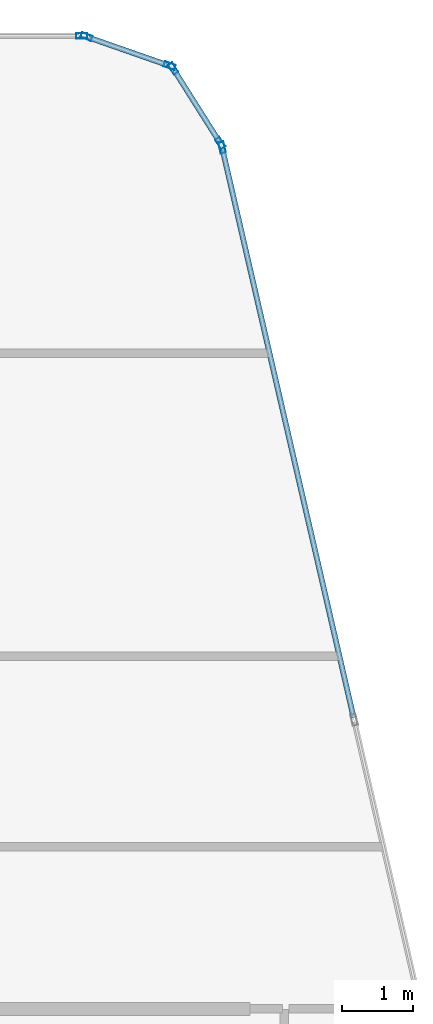
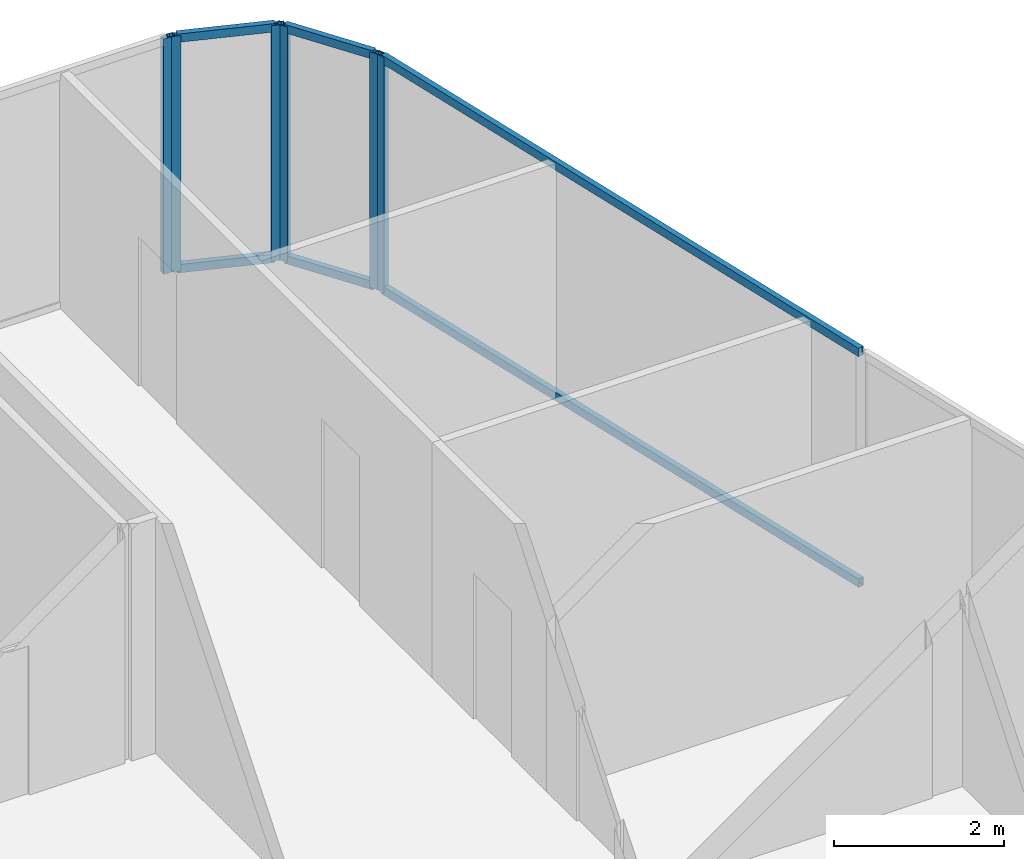
# One storey, part 21 of 29: 12 members, 4 elements without a shape of their own.
"""IFC4 building model written with IfcOpenShell, lengths in metres."""

from ifc_helpers import new_model, si_unit, direction, frame, origin, origin_2d, place, context, subcontext, project, spatial, hollow_rectangle, extrude, material, layer, layer_set, material_profile, profile_set, type_object, element, aggregate, save


model = new_model("IFC4")

# Units and contexts
model_context = context("Model", 3, precision=1e-05, world=origin(), true_north=direction((0.0, 1.0)))
body_context = subcontext(model_context, "Body", "Model", "MODEL_VIEW")
ifc_project = project(units=[si_unit("LENGTHUNIT", "METRE"), si_unit("AREAUNIT", "SQUARE_METRE"), si_unit("VOLUMEUNIT", "CUBIC_METRE"), si_unit("PLANEANGLEUNIT", "RADIAN"), si_unit("MASSUNIT", "GRAM", prefix="KILO")], contexts=[model_context])

# Site, building, storey
site_placement = place(None, origin())
site = spatial("IfcSite", under=ifc_project, at=site_placement, CompositionType="ELEMENT")
building_placement = place(site_placement, origin())
building = spatial("IfcBuilding", under=site, at=building_placement, Name="Keshet Zoharim Tower", CompositionType="ELEMENT")
storey_placement = place(building_placement, frame((0.0, 0.0, 169.10009765625)))
storey = spatial("IfcBuildingStorey", under=building, at=storey_placement, Name="L41", CompositionType="ELEMENT", Elevation=169.10009765625)

# Curtain wall, member
ifc_material = material(Name="Aluminium 6063-T6", Category="aluminium")
ifc_layer = layer(ifc_material, 0.139892578125)
ifc_layer_set = layer_set([ifc_layer], Name="Aluminium 6063-T6")
curtain_wall_type = type_object("IfcCurtainWallType", Name="CW-SYS-05", PredefinedType="NOTDEFINED", material=ifc_layer_set)
curtain_wall_1_placement = place(storey_placement, origin())
curtain_wall_1 = element("IfcCurtainWall", 1, at=curtain_wall_1_placement, inside=storey, type_object=curtain_wall_type, Name="L41 Unitised Curtain Wall 16 Part 3", PredefinedType="NOTDEFINED")
ifc_material_profile_1 = material_profile(ifc_material, hollow_rectangle(XDim=0.074951171875, YDim=0.159912109375, WallThickness=0.00390625, at=origin_2d()), Name="MUL-75x160")
ifc_profile_set_1 = profile_set([ifc_material_profile_1], Name="Aluminium 6063-T6")
member_type_1 = type_object("IfcMemberType", Name="CWM-M15", PredefinedType="MULLION", material=ifc_profile_set_1)
member_1_placement = place(storey_placement, frame((37.3740234375, 53.89990234375, 0.0), z_axis=(0.0, 0.0, 1.0), x_axis=(0.0, 1.0, 0.0)))
member_1 = element("IfcMember", 2, at=member_1_placement, type_object=member_type_1, Name="CW-05 mullion 3", PredefinedType="MULLION", context=body_context, shape_type="SweptSolid", body=[
    extrude(hollow_rectangle(XDim=0.074951171875, YDim=0.159912109375, WallThickness=0.00390625, at=origin_2d()), origin(), (0.0, 0.0, 1.0), 3.389892578125),
])
aggregate(curtain_wall_1, [member_1])

# Curtain wall, members
curtain_wall_2_placement = place(storey_placement, origin())
curtain_wall_2 = element("IfcCurtainWall", 3, at=curtain_wall_2_placement, inside=storey, type_object=curtain_wall_type, Name="L41 Unitised Curtain Wall 17", PredefinedType="NOTDEFINED")
member_2_placement = place(storey_placement, frame((37.442138671875, 53.888427734375, 0.0), z_axis=(0.0, 0.0, 1.0), x_axis=(0.329843743636, 0.944035542119, 0.0)))
member_2 = element("IfcMember", 4, at=member_2_placement, type_object=member_type_1, Name="CW-05 mullion 1", PredefinedType="MULLION", context=body_context, shape_type="SweptSolid", body=[
    extrude(hollow_rectangle(XDim=0.074951171875, YDim=0.159912109375, WallThickness=0.00390625, at=origin_2d()), origin(), (0.0, 0.0, 1.0), 3.389892578125),
])
member_3_placement = place(storey_placement, frame((38.620849609375, 53.4765625, 0.0), z_axis=(0.0, 0.0, 1.0), x_axis=(0.329843743636, 0.944035542119, 0.0)))
member_3 = element("IfcMember", 5, at=member_3_placement, type_object=member_type_1, Name="CW-05 mullion 2", PredefinedType="MULLION", context=body_context, shape_type="SweptSolid", body=[
    extrude(hollow_rectangle(XDim=0.074951171875, YDim=0.159912109375, WallThickness=0.00390625, at=origin_2d()), origin(), (0.0, 0.0, 1.0), 3.389892578125),
])

curtain_wall_3_placement = place(storey_placement, origin())
curtain_wall_3 = element("IfcCurtainWall", 6, at=curtain_wall_3_placement, inside=storey, type_object=curtain_wall_type, Name="L41 Unitised Curtain Wall 18", PredefinedType="NOTDEFINED")
member_4_placement = place(storey_placement, frame((38.672607421875, 53.435302734375, 0.0), z_axis=(0.0, 0.0, 1.0), x_axis=(0.845560976183, 0.533878858502, 0.0)))
member_4 = element("IfcMember", 7, at=member_4_placement, type_object=member_type_1, Name="CW-05 mullion 1", PredefinedType="MULLION", context=body_context, shape_type="SweptSolid", body=[
    extrude(hollow_rectangle(XDim=0.074951171875, YDim=0.159912109375, WallThickness=0.00390625, at=origin_2d()), origin(), (0.0, 0.0, 1.0), 3.389892578125),
])
member_5_placement = place(storey_placement, frame((39.33935546875, 52.379638671875, 0.0), z_axis=(0.0, 0.0, 1.0), x_axis=(0.845560976183, 0.533878858502, 0.0)))
member_5 = element("IfcMember", 8, at=member_5_placement, type_object=member_type_1, Name="CW-05 mullion 2", PredefinedType="MULLION", context=body_context, shape_type="SweptSolid", body=[
    extrude(hollow_rectangle(XDim=0.074951171875, YDim=0.159912109375, WallThickness=0.00390625, at=origin_2d()), origin(), (0.0, 0.0, 1.0), 3.389892578125),
])

# Curtain wall, member
curtain_wall_4_placement = place(storey_placement, origin())
curtain_wall_4 = element("IfcCurtainWall", 9, at=curtain_wall_4_placement, inside=storey, type_object=curtain_wall_type, Name="L41 Unitised Curtain Wall 19", PredefinedType="NOTDEFINED")
member_6_placement = place(storey_placement, frame((39.365966796875, 52.31591796875, 0.0), z_axis=(0.0, 0.0, 1.0), x_axis=(0.974393882313, 0.224847864369, 0.0)))
member_6 = element("IfcMember", 10, at=member_6_placement, type_object=member_type_1, Name="CW-05 mullion 1", PredefinedType="MULLION", context=body_context, shape_type="SweptSolid", body=[
    extrude(hollow_rectangle(XDim=0.074951171875, YDim=0.159912109375, WallThickness=0.00390625, at=origin_2d()), origin(), (0.0, 0.0, 1.0), 3.389892578125),
])

# Member
ifc_material_profile_2 = material_profile(ifc_material, hollow_rectangle(XDim=0.074951171875, YDim=0.1201171875, WallThickness=0.00390625, at=origin_2d()), Name="TRN-75x120")
ifc_profile_set_2 = profile_set([ifc_material_profile_2], Name="Aluminium 6063-T6")
member_type_2 = type_object("IfcMemberType", Name="CWT-T12", PredefinedType="USERDEFINED", material=ifc_profile_set_2)
member_7_placement = place(storey_placement, frame((37.47509765625, 53.876953125, 0.034912109375), z_axis=(0.944006789648, -0.329926023675, 0.0), x_axis=(0.329926023675, 0.944006789648, 0.0)))
member_7 = element("IfcMember", 11, at=member_7_placement, type_object=member_type_2, Name="CW-05 transom 1.1", ObjectType="TRANSOM", PredefinedType="USERDEFINED", context=body_context, shape_type="SweptSolid", body=[
    extrude(hollow_rectangle(XDim=0.074951171875, YDim=0.1201171875, WallThickness=0.00390625, at=origin_2d()), origin(), (0.0, 0.0, 1.0), 1.1787109375),
])

member_8_placement = place(storey_placement, frame((37.47509765625, 53.876953125, 3.35498046875), z_axis=(0.944006789648, -0.329926023675, 0.0), x_axis=(0.329926023675, 0.944006789648, 0.0)))
member_8 = element("IfcMember", 12, at=member_8_placement, type_object=member_type_2, Name="CW-05 transom 1.2", ObjectType="TRANSOM", PredefinedType="USERDEFINED", context=body_context, shape_type="SweptSolid", body=[
    extrude(hollow_rectangle(XDim=0.074951171875, YDim=0.1201171875, WallThickness=0.00390625, at=origin_2d()), origin(), (0.0, 0.0, 1.0), 1.1787109375),
])

aggregate(curtain_wall_2, [member_2, member_3, member_7, member_8])

member_9_placement = place(storey_placement, frame((38.69140625, 53.40576171875, 0.034912109375), z_axis=(0.53382931122, -0.845592257819, 0.0), x_axis=(0.845592257819, 0.53382931122, 0.0)))
member_9 = element("IfcMember", 13, at=member_9_placement, type_object=member_type_2, Name="CW-05 transom 1.1", ObjectType="TRANSOM", PredefinedType="USERDEFINED", context=body_context, shape_type="SweptSolid", body=[
    extrude(hollow_rectangle(XDim=0.074951171875, YDim=0.1201171875, WallThickness=0.00390625, at=origin_2d()), origin(), (0.0, 0.0, 1.0), 1.178466796875),
])

member_10_placement = place(storey_placement, frame((38.69140625, 53.40576171875, 3.35498046875), z_axis=(0.53382931122, -0.845592257819, 0.0), x_axis=(0.845592257819, 0.53382931122, 0.0)))
member_10 = element("IfcMember", 14, at=member_10_placement, type_object=member_type_2, Name="CW-05 transom 1.2", ObjectType="TRANSOM", PredefinedType="USERDEFINED", context=body_context, shape_type="SweptSolid", body=[
    extrude(hollow_rectangle(XDim=0.074951171875, YDim=0.1201171875, WallThickness=0.00390625, at=origin_2d()), origin(), (0.0, 0.0, 1.0), 1.178466796875),
])

aggregate(curtain_wall_3, [member_4, member_5, member_9, member_10])

member_11_placement = place(storey_placement, frame((39.373779296875, 52.28173828125, 0.034912109375), z_axis=(0.224835758738, -0.974396675688, 0.0), x_axis=(0.974396675688, 0.224835758738, 0.0)))
member_11 = element("IfcMember", 15, at=member_11_placement, type_object=member_type_2, Name="CW-05 transom 1.1", ObjectType="TRANSOM", PredefinedType="USERDEFINED", context=body_context, shape_type="SweptSolid", body=[
    extrude(hollow_rectangle(XDim=0.074951171875, YDim=0.1201171875, WallThickness=0.00390625, at=origin_2d()), origin(), (0.0, 0.0, 1.0), 8.259033203125),
])

member_12_placement = place(storey_placement, frame((39.373779296875, 52.28173828125, 3.35498046875), z_axis=(0.224835758738, -0.974396675688, 0.0), x_axis=(0.974396675688, 0.224835758738, 0.0)))
member_12 = element("IfcMember", 16, at=member_12_placement, type_object=member_type_2, Name="CW-05 transom 1.2", ObjectType="TRANSOM", PredefinedType="USERDEFINED", context=body_context, shape_type="SweptSolid", body=[
    extrude(hollow_rectangle(XDim=0.074951171875, YDim=0.1201171875, WallThickness=0.00390625, at=origin_2d()), origin(), (0.0, 0.0, 1.0), 8.259033203125),
])

aggregate(curtain_wall_4, [member_6, member_11, member_12])

save(model, "model.ifc")
